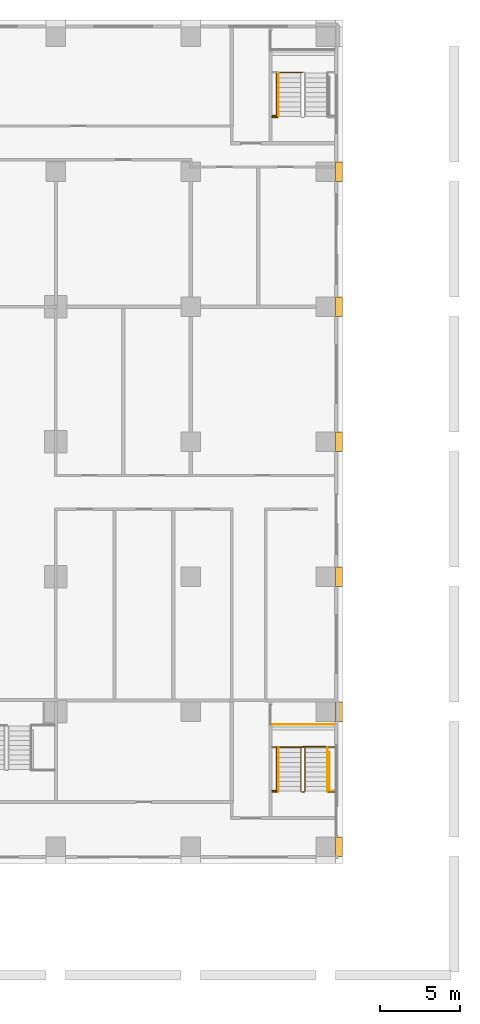
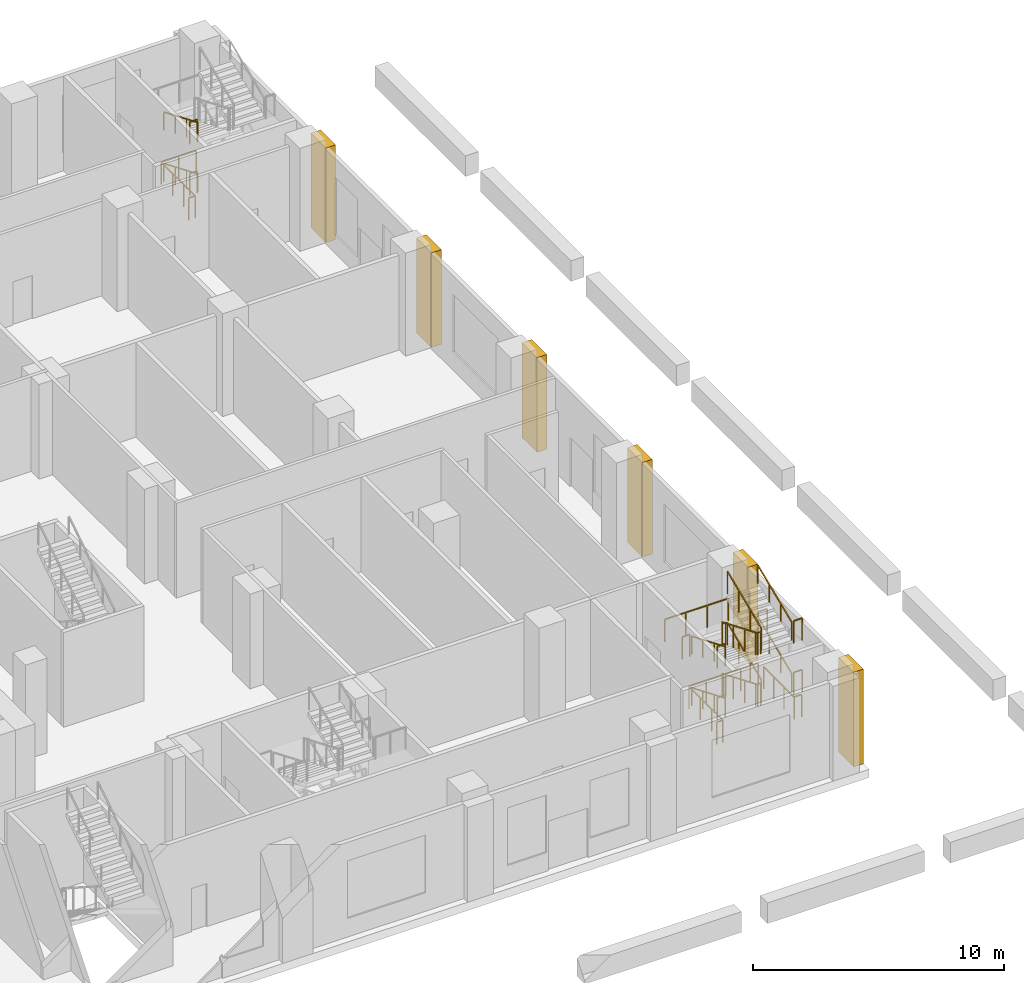
# One storey, part 20 of 21: 19 railings, 6 coverings.
"""IFC4 building model written with IfcOpenShell, lengths in metres."""

from ifc_helpers import new_model, si_unit, direction, frame, origin, origin_2d, place, context, subcontext, project, spatial, polyline, rectangle, outline, extrude, material, type_object, element, save


model = new_model("IFC4")

# Units and contexts
model_context = context("Model", 3, precision=1e-05, world=origin(), true_north=direction((0.0, 1.0)))
body_context = subcontext(model_context, "Body", "Model", "MODEL_VIEW")
ifc_project = project(units=[si_unit("LENGTHUNIT", "METRE"), si_unit("AREAUNIT", "SQUARE_METRE"), si_unit("VOLUMEUNIT", "CUBIC_METRE"), si_unit("PLANEANGLEUNIT", "RADIAN"), si_unit("MASSUNIT", "GRAM", prefix="KILO")], contexts=[model_context])

# Site, building, storey
site_placement = place(None, origin())
site = spatial("IfcSite", under=ifc_project, at=site_placement, CompositionType="ELEMENT")
building_placement = place(site_placement, origin())
building = spatial("IfcBuilding", under=site, at=building_placement, Name="Vermilion Ogive Tower", CompositionType="ELEMENT")
storey_placement = place(building_placement, frame((0.0, 0.0, 25.0)))
storey = spatial("IfcBuildingStorey", under=building, at=storey_placement, Name="L04", CompositionType="ELEMENT", Elevation=25.0)

# Railings
ifc_material_1 = material(Name="Steel S355 painted", Category="steel")
railing_type_1 = type_object("IfcRailingType", Name="Stair guard 1100", PredefinedType="GUARDRAIL", material=ifc_material_1)
railing_1_placement = place(storey_placement, frame((40.64990234375, -14.800048828125, 0.0)))
element("IfcRailing", 1, at=railing_1_placement, inside=storey, type_object=railing_type_1, Name="L04 PS6 stair guard 8", PredefinedType="GUARDRAIL", context=body_context, shape_type="SweptSolid", body=[
    extrude(rectangle(XDim=0.048095703125, YDim=0.048095703125, at=origin_2d()), frame((0.0, 0.0, 1.076171875), z_axis=(-1.0, 0.0, 0.0), x_axis=(0.0, -1.0, 0.0)), (0.0, 0.0, 1.0), 0.14990234375),
    extrude(rectangle(XDim=0.048095703125, YDim=0.048095703125, at=origin_2d()), frame((-0.14990234375, 0.0, 1.076171875), z_axis=(-0.34841279274, -0.34841279274, 0.870182194549), x_axis=(0.707106781187, -0.707106781187, 0.0)), (0.0, 0.0, 1.0), 0.1435546875),
    extrude(rectangle(XDim=0.048095703125, YDim=0.048095703125, at=origin_2d()), frame((-0.199951171875, -0.050048828125, 1.201171875), z_axis=(0.0, -0.923074453586, 0.384621311341), x_axis=(1.0, 0.0, 0.0)), (0.0, 0.0, 1.0), 2.925048828125),
    extrude(rectangle(XDim=0.048095703125, YDim=0.048095703125, at=origin_2d()), frame((-0.199951171875, -2.75, 2.326171875), z_axis=(0.707106781187, -0.707106781187, 0.0), x_axis=(0.707106781187, 0.707106781187, 0.0)), (0.0, 0.0, 1.0), 0.07080078125),
    extrude(rectangle(XDim=0.048095703125, YDim=0.048095703125, at=origin_2d()), frame((-0.14990234375, -2.800048828125, 2.326171875), z_axis=(1.0, 0.0, 0.0), x_axis=(0.0, 1.0, 0.0)), (0.0, 0.0, 1.0), 0.14990234375),
    extrude(rectangle(XDim=0.048095703125, YDim=0.048095703125, at=origin_2d()), frame((0.0, -2.800048828125, 2.326171875), z_axis=(0.34841279274, 0.34841279274, 0.870182194549), x_axis=(-0.707106781187, 0.707106781187, 0.0)), (0.0, 0.0, 1.0), 0.1435546875),
    extrude(rectangle(XDim=0.048095703125, YDim=0.048095703125, at=origin_2d()), frame((0.050048828125, -2.75, 2.451171875), z_axis=(0.0, 0.923074453586, 0.384621311341), x_axis=(-1.0, 0.0, 0.0)), (0.0, 0.0, 1.0), 2.925048828125),
    extrude(rectangle(XDim=0.048095703125, YDim=0.048095703125, at=origin_2d()), frame((0.050048828125, -0.050048828125, 3.576171875), z_axis=(-0.707106781187, 0.707106781187, 0.0), x_axis=(-0.707106781187, -0.707106781187, 0.0)), (0.0, 0.0, 1.0), 0.07080078125),
    extrude(rectangle(XDim=0.048095703125, YDim=0.048095703125, at=origin_2d()), frame((0.0, 0.0, 3.576171875), z_axis=(-1.0, 0.0, 0.0), x_axis=(0.0, -1.0, 0.0)), (0.0, 0.0, 1.0), 0.14990234375),
    extrude(rectangle(XDim=0.048095703125, YDim=0.048095703125, at=origin_2d()), frame((-0.14990234375, 0.0, 3.576171875), z_axis=(-0.34841279274, -0.34841279274, 0.870182194549), x_axis=(0.707106781187, -0.707106781187, 0.0)), (0.0, 0.0, 1.0), 0.1435546875),
    extrude(rectangle(XDim=0.048095703125, YDim=0.048095703125, at=origin_2d()), frame((-0.199951171875, -0.050048828125, 3.701171875), z_axis=(0.0, -0.923074453586, 0.384621311341), x_axis=(1.0, 0.0, 0.0)), (0.0, 0.0, 1.0), 2.925048828125),
    extrude(rectangle(XDim=0.048095703125, YDim=0.048095703125, at=origin_2d()), frame((-0.199951171875, -2.75, 4.826171875), z_axis=(0.707106781187, -0.707106781187, 0.0), x_axis=(0.707106781187, 0.707106781187, 0.0)), (0.0, 0.0, 1.0), 0.07080078125),
    extrude(rectangle(XDim=0.048095703125, YDim=0.048095703125, at=origin_2d()), frame((-0.14990234375, -2.800048828125, 4.826171875), z_axis=(1.0, 0.0, 0.0), x_axis=(0.0, 1.0, 0.0)), (0.0, 0.0, 1.0), 0.14990234375),
    extrude(rectangle(XDim=0.048095703125, YDim=0.048095703125, at=origin_2d()), frame((0.0, -2.800048828125, 4.826171875), z_axis=(0.34841279274, 0.34841279274, 0.870182194549), x_axis=(-0.707106781187, 0.707106781187, 0.0)), (0.0, 0.0, 1.0), 0.1435546875),
    extrude(rectangle(XDim=0.048095703125, YDim=0.048095703125, at=origin_2d()), frame((0.050048828125, -2.75, 4.951171875), z_axis=(0.0, 0.923074453586, 0.384621311341), x_axis=(-1.0, 0.0, 0.0)), (0.0, 0.0, 1.0), 2.925048828125),
    extrude(rectangle(XDim=0.0419921875, YDim=0.0419921875, at=origin_2d()), origin(), (0.0, 0.0, 1.0), 1.052001953125),
    extrude(rectangle(XDim=0.0419921875, YDim=0.0419921875, at=origin_2d()), frame((-0.14990234375, 0.0, 0.0)), (0.0, 0.0, 1.0), 1.052001953125),
    extrude(rectangle(XDim=0.0419921875, YDim=0.0419921875, at=origin_2d()), frame((-0.199951171875, -0.050048828125, 0.125)), (0.0, 0.0, 1.0), 1.052001953125),
    extrude(rectangle(XDim=0.0419921875, YDim=0.0419921875, at=origin_2d()), frame((-0.199951171875, -0.949951171875, 0.5)), (0.0, 0.0, 1.0), 1.052001953125),
    extrude(rectangle(XDim=0.0419921875, YDim=0.0419921875, at=origin_2d()), frame((-0.199951171875, -1.85009765625, 0.875)), (0.0, 0.0, 1.0), 1.052001953125),
    extrude(rectangle(XDim=0.0419921875, YDim=0.0419921875, at=origin_2d()), frame((-0.199951171875, -2.75, 1.25)), (0.0, 0.0, 1.0), 1.052001953125),
    extrude(rectangle(XDim=0.0419921875, YDim=0.0419921875, at=origin_2d()), frame((-0.14990234375, -2.800048828125, 1.25)), (0.0, 0.0, 1.0), 1.052001953125),
    extrude(rectangle(XDim=0.0419921875, YDim=0.0419921875, at=origin_2d()), frame((0.0, -2.800048828125, 1.25)), (0.0, 0.0, 1.0), 1.052001953125),
    extrude(rectangle(XDim=0.0419921875, YDim=0.0419921875, at=origin_2d()), frame((0.050048828125, -2.75, 1.375)), (0.0, 0.0, 1.0), 1.052001953125),
    extrude(rectangle(XDim=0.0419921875, YDim=0.0419921875, at=origin_2d()), frame((0.050048828125, -1.85009765625, 1.75)), (0.0, 0.0, 1.0), 1.052001953125),
    extrude(rectangle(XDim=0.0419921875, YDim=0.0419921875, at=origin_2d()), frame((0.050048828125, -0.949951171875, 2.125)), (0.0, 0.0, 1.0), 1.052001953125),
    extrude(rectangle(XDim=0.0419921875, YDim=0.0419921875, at=origin_2d()), frame((0.050048828125, -0.050048828125, 2.5)), (0.0, 0.0, 1.0), 1.052001953125),
    extrude(rectangle(XDim=0.0419921875, YDim=0.0419921875, at=origin_2d()), frame((0.0, 0.0, 2.5)), (0.0, 0.0, 1.0), 1.052001953125),
    extrude(rectangle(XDim=0.0419921875, YDim=0.0419921875, at=origin_2d()), frame((-0.14990234375, 0.0, 2.5)), (0.0, 0.0, 1.0), 1.052001953125),
    extrude(rectangle(XDim=0.0419921875, YDim=0.0419921875, at=origin_2d()), frame((-0.199951171875, -0.050048828125, 2.625)), (0.0, 0.0, 1.0), 1.052001953125),
    extrude(rectangle(XDim=0.0419921875, YDim=0.0419921875, at=origin_2d()), frame((-0.199951171875, -0.949951171875, 3.0)), (0.0, 0.0, 1.0), 1.052001953125),
    extrude(rectangle(XDim=0.0419921875, YDim=0.0419921875, at=origin_2d()), frame((-0.199951171875, -1.85009765625, 3.375)), (0.0, 0.0, 1.0), 1.052001953125),
    extrude(rectangle(XDim=0.0419921875, YDim=0.0419921875, at=origin_2d()), frame((-0.199951171875, -2.75, 3.75)), (0.0, 0.0, 1.0), 1.052001953125),
    extrude(rectangle(XDim=0.0419921875, YDim=0.0419921875, at=origin_2d()), frame((-0.14990234375, -2.800048828125, 3.75)), (0.0, 0.0, 1.0), 1.052001953125),
    extrude(rectangle(XDim=0.0419921875, YDim=0.0419921875, at=origin_2d()), frame((0.0, -2.800048828125, 3.75)), (0.0, 0.0, 1.0), 1.052001953125),
    extrude(rectangle(XDim=0.0419921875, YDim=0.0419921875, at=origin_2d()), frame((0.050048828125, -2.75, 3.875)), (0.0, 0.0, 1.0), 1.052001953125),
    extrude(rectangle(XDim=0.0419921875, YDim=0.0419921875, at=origin_2d()), frame((0.050048828125, -1.85009765625, 4.25)), (0.0, 0.0, 1.0), 1.052001953125),
    extrude(rectangle(XDim=0.0419921875, YDim=0.0419921875, at=origin_2d()), frame((0.050048828125, -0.949951171875, 4.625)), (0.0, 0.0, 1.0), 1.052001953125),
    extrude(rectangle(XDim=0.0419921875, YDim=0.0419921875, at=origin_2d()), frame((0.050048828125, -0.050048828125, 5.0)), (0.0, 0.0, 1.0), 1.052001953125),
])
for number, where, name in (
    (2, (38.650146484375, 24.39990234375, 1.25), "L04 landing guard"),
    (3, (38.650146484375, 24.39990234375, 3.75), "L04 landing guard"),
    (4, (38.650146484375, -17.60009765625, 1.25), "L04 landing guard"),
):
    element("IfcRailing", number, at=place(storey_placement, frame(where)), inside=storey, type_object=railing_type_1, Name=name, PredefinedType="GUARDRAIL", context=body_context, shape_type="SweptSolid", body=[
        extrude(rectangle(XDim=0.048095703125, YDim=0.048095703125, at=origin_2d()), frame((0.0, 0.0, 1.076171875), z_axis=(1.0, 0.0, 0.0), x_axis=(0.0, 1.0, 0.0)), (0.0, 0.0, 1.0), 0.349853515625),
        extrude(rectangle(XDim=0.0419921875, YDim=0.0419921875, at=origin_2d()), origin(), (0.0, 0.0, 1.0), 1.052001953125),
        extrude(rectangle(XDim=0.0419921875, YDim=0.0419921875, at=origin_2d()), frame((0.349853515625, 0.0, 0.0)), (0.0, 0.0, 1.0), 1.052001953125),
    ])
railing_2_placement = place(storey_placement, frame((42.14990234375, -17.60009765625, 1.25)))
element("IfcRailing", 5, at=railing_2_placement, inside=storey, type_object=railing_type_1, Name="L04 landing guard", PredefinedType="GUARDRAIL", context=body_context, shape_type="SweptSolid", body=[
    extrude(rectangle(XDim=0.048095703125, YDim=0.048095703125, at=origin_2d()), frame((0.0, 0.0, 1.076171875), z_axis=(1.0, 0.0, 0.0), x_axis=(0.0, 1.0, 0.0)), (0.0, 0.0, 1.0), 0.400146484375),
    extrude(rectangle(XDim=0.0419921875, YDim=0.0419921875, at=origin_2d()), origin(), (0.0, 0.0, 1.0), 1.052001953125),
    extrude(rectangle(XDim=0.0419921875, YDim=0.0419921875, at=origin_2d()), frame((0.400146484375, 0.0, 0.0)), (0.0, 0.0, 1.0), 1.052001953125),
])
railing_3_placement = place(storey_placement, frame((38.650146484375, -13.39990234375, 2.5)))
element("IfcRailing", 6, at=railing_3_placement, inside=storey, type_object=railing_type_1, Name="L04 landing guard", PredefinedType="GUARDRAIL", context=body_context, shape_type="SweptSolid", body=[
    extrude(rectangle(XDim=0.048095703125, YDim=0.048095703125, at=origin_2d()), frame((0.0, 0.0, 1.076171875), z_axis=(1.0, 0.0, 0.0), x_axis=(0.0, 1.0, 0.0)), (0.0, 0.0, 1.0), 3.89990234375),
    extrude(rectangle(XDim=0.0419921875, YDim=0.0419921875, at=origin_2d()), origin(), (0.0, 0.0, 1.0), 1.052001953125),
    extrude(rectangle(XDim=0.0419921875, YDim=0.0419921875, at=origin_2d()), frame((0.97509765625, 0.0, 0.0)), (0.0, 0.0, 1.0), 1.052001953125),
    extrude(rectangle(XDim=0.0419921875, YDim=0.0419921875, at=origin_2d()), frame((1.949951171875, 0.0, 0.0)), (0.0, 0.0, 1.0), 1.052001953125),
    extrude(rectangle(XDim=0.0419921875, YDim=0.0419921875, at=origin_2d()), frame((2.9248046875, 0.0, 0.0)), (0.0, 0.0, 1.0), 1.052001953125),
    extrude(rectangle(XDim=0.0419921875, YDim=0.0419921875, at=origin_2d()), frame((3.89990234375, 0.0, 0.0)), (0.0, 0.0, 1.0), 1.052001953125),
])
railing_4_placement = place(storey_placement, frame((38.650146484375, -14.800048828125, 2.5)))
element("IfcRailing", 7, at=railing_4_placement, inside=storey, type_object=railing_type_1, Name="L04 landing guard", PredefinedType="GUARDRAIL", context=body_context, shape_type="SweptSolid", body=[
    extrude(rectangle(XDim=0.048095703125, YDim=0.048095703125, at=origin_2d()), frame((0.0, 0.0, 1.076171875), z_axis=(1.0, 0.0, 0.0), x_axis=(0.0, 1.0, 0.0)), (0.0, 0.0, 1.0), 0.349853515625),
    extrude(rectangle(XDim=0.0419921875, YDim=0.0419921875, at=origin_2d()), origin(), (0.0, 0.0, 1.0), 1.052001953125),
    extrude(rectangle(XDim=0.0419921875, YDim=0.0419921875, at=origin_2d()), frame((0.349853515625, 0.0, 0.0)), (0.0, 0.0, 1.0), 1.052001953125),
])
railing_5_placement = place(storey_placement, frame((42.14990234375, -14.800048828125, 2.5)))
element("IfcRailing", 8, at=railing_5_placement, inside=storey, type_object=railing_type_1, Name="L04 landing guard", PredefinedType="GUARDRAIL", context=body_context, shape_type="SweptSolid", body=[
    extrude(rectangle(XDim=0.048095703125, YDim=0.048095703125, at=origin_2d()), frame((0.0, 0.0, 1.076171875), z_axis=(1.0, 0.0, 0.0), x_axis=(0.0, 1.0, 0.0)), (0.0, 0.0, 1.0), 0.400146484375),
    extrude(rectangle(XDim=0.0419921875, YDim=0.0419921875, at=origin_2d()), origin(), (0.0, 0.0, 1.0), 1.052001953125),
    extrude(rectangle(XDim=0.0419921875, YDim=0.0419921875, at=origin_2d()), frame((0.400146484375, 0.0, 0.0)), (0.0, 0.0, 1.0), 1.052001953125),
])
railing_6_placement = place(storey_placement, frame((38.650146484375, -17.60009765625, 3.75)))
element("IfcRailing", 9, at=railing_6_placement, inside=storey, type_object=railing_type_1, Name="L04 landing guard", PredefinedType="GUARDRAIL", context=body_context, shape_type="SweptSolid", body=[
    extrude(rectangle(XDim=0.048095703125, YDim=0.048095703125, at=origin_2d()), frame((0.0, 0.0, 1.076171875), z_axis=(1.0, 0.0, 0.0), x_axis=(0.0, 1.0, 0.0)), (0.0, 0.0, 1.0), 0.349853515625),
    extrude(rectangle(XDim=0.0419921875, YDim=0.0419921875, at=origin_2d()), origin(), (0.0, 0.0, 1.0), 1.052001953125),
    extrude(rectangle(XDim=0.0419921875, YDim=0.0419921875, at=origin_2d()), frame((0.349853515625, 0.0, 0.0)), (0.0, 0.0, 1.0), 1.052001953125),
])
railing_7_placement = place(storey_placement, frame((42.14990234375, -17.60009765625, 3.75)))
element("IfcRailing", 10, at=railing_7_placement, inside=storey, type_object=railing_type_1, Name="L04 landing guard", PredefinedType="GUARDRAIL", context=body_context, shape_type="SweptSolid", body=[
    extrude(rectangle(XDim=0.048095703125, YDim=0.048095703125, at=origin_2d()), frame((0.0, 0.0, 1.076171875), z_axis=(1.0, 0.0, 0.0), x_axis=(0.0, 1.0, 0.0)), (0.0, 0.0, 1.0), 0.400146484375),
    extrude(rectangle(XDim=0.0419921875, YDim=0.0419921875, at=origin_2d()), origin(), (0.0, 0.0, 1.0), 1.052001953125),
    extrude(rectangle(XDim=0.0419921875, YDim=0.0419921875, at=origin_2d()), frame((0.400146484375, 0.0, 0.0)), (0.0, 0.0, 1.0), 1.052001953125),
])
railing_8_placement = place(storey_placement, frame((38.660888671875, 24.484375, 0.0)))
element("IfcRailing", 11, at=railing_8_placement, inside=storey, type_object=railing_type_1, Name="L04 stair opening guard", PredefinedType="GUARDRAIL", context=body_context, shape_type="SweptSolid", body=[
    extrude(rectangle(XDim=0.048095703125, YDim=0.048095703125, at=origin_2d()), frame((0.0, 0.0, 1.076171875), z_axis=(1.0, 0.0, 0.0), x_axis=(0.0, 1.0, 0.0)), (0.0, 0.0, 1.0), 0.289794921875),
    extrude(rectangle(XDim=0.048095703125, YDim=0.048095703125, at=origin_2d()), frame((0.289794921875, 0.0, 1.076171875), z_axis=(0.0, 1.0, 0.0), x_axis=(-1.0, 0.0, 0.0)), (0.0, 0.0, 1.0), 2.699951171875),
    extrude(rectangle(XDim=0.048095703125, YDim=0.048095703125, at=origin_2d()), frame((0.289794921875, 2.699951171875, 1.076171875), z_axis=(1.0, 0.0, 0.0), x_axis=(0.0, 1.0, 0.0)), (0.0, 0.0, 1.0), 1.60009765625),
    extrude(rectangle(XDim=0.0419921875, YDim=0.0419921875, at=origin_2d()), origin(), (0.0, 0.0, 1.0), 1.052001953125),
    extrude(rectangle(XDim=0.0419921875, YDim=0.0419921875, at=origin_2d()), frame((0.289794921875, 0.0, 0.0)), (0.0, 0.0, 1.0), 1.052001953125),
    extrude(rectangle(XDim=0.0419921875, YDim=0.0419921875, at=origin_2d()), frame((0.289794921875, 0.89990234375, 0.0)), (0.0, 0.0, 1.0), 1.052001953125),
    extrude(rectangle(XDim=0.0419921875, YDim=0.0419921875, at=origin_2d()), frame((0.289794921875, 1.800048828125, 0.0)), (0.0, 0.0, 1.0), 1.052001953125),
    extrude(rectangle(XDim=0.0419921875, YDim=0.0419921875, at=origin_2d()), frame((0.289794921875, 2.699951171875, 0.0)), (0.0, 0.0, 1.0), 1.052001953125),
    extrude(rectangle(XDim=0.0419921875, YDim=0.0419921875, at=origin_2d()), frame((1.08984375, 2.699951171875, 0.0)), (0.0, 0.0, 1.0), 1.052001953125),
    extrude(rectangle(XDim=0.0419921875, YDim=0.0419921875, at=origin_2d()), frame((1.889892578125, 2.699951171875, 0.0)), (0.0, 0.0, 1.0), 1.052001953125),
])
railing_9_placement = place(storey_placement, frame((42.209228515625, -15.11767578125, 0.0)))
element("IfcRailing", 12, at=railing_9_placement, inside=storey, type_object=railing_type_1, Name="L04 stair opening guard", PredefinedType="GUARDRAIL", context=body_context, shape_type="SweptSolid", body=[
    extrude(rectangle(XDim=0.048095703125, YDim=0.048095703125, at=origin_2d()), frame((0.0, 0.0, 1.076171875), z_axis=(0.0, -1.0, 0.0), x_axis=(1.0, 0.0, 0.0)), (0.0, 0.0, 1.0), 2.424072265625),
    extrude(rectangle(XDim=0.048095703125, YDim=0.048095703125, at=origin_2d()), frame((0.0, -2.424072265625, 1.076171875), z_axis=(1.0, 0.0, 0.0), x_axis=(0.0, 1.0, 0.0)), (0.0, 0.0, 1.0), 0.340087890625),
    extrude(rectangle(XDim=0.0419921875, YDim=0.0419921875, at=origin_2d()), origin(), (0.0, 0.0, 1.0), 1.052001953125),
    extrude(rectangle(XDim=0.0419921875, YDim=0.0419921875, at=origin_2d()), frame((0.0, -0.80810546875, 0.0)), (0.0, 0.0, 1.0), 1.052001953125),
    extrude(rectangle(XDim=0.0419921875, YDim=0.0419921875, at=origin_2d()), frame((0.0, -1.615966796875, 0.0)), (0.0, 0.0, 1.0), 1.052001953125),
    extrude(rectangle(XDim=0.0419921875, YDim=0.0419921875, at=origin_2d()), frame((0.0, -2.424072265625, 0.0)), (0.0, 0.0, 1.0), 1.052001953125),
    extrude(rectangle(XDim=0.0419921875, YDim=0.0419921875, at=origin_2d()), frame((0.340087890625, -2.424072265625, 0.0)), (0.0, 0.0, 1.0), 1.052001953125),
])
railing_10_placement = place(storey_placement, frame((38.660888671875, -17.515625, 0.0)))
element("IfcRailing", 13, at=railing_10_placement, inside=storey, type_object=railing_type_1, Name="L04 stair opening guard", PredefinedType="GUARDRAIL", context=body_context, shape_type="SweptSolid", body=[
    extrude(rectangle(XDim=0.048095703125, YDim=0.048095703125, at=origin_2d()), frame((0.0, 0.0, 1.076171875), z_axis=(1.0, 0.0, 0.0), x_axis=(0.0, 1.0, 0.0)), (0.0, 0.0, 1.0), 0.289794921875),
    extrude(rectangle(XDim=0.048095703125, YDim=0.048095703125, at=origin_2d()), frame((0.289794921875, 0.0, 1.076171875), z_axis=(0.0, 1.0, 0.0), x_axis=(-1.0, 0.0, 0.0)), (0.0, 0.0, 1.0), 2.699951171875),
    extrude(rectangle(XDim=0.048095703125, YDim=0.048095703125, at=origin_2d()), frame((0.289794921875, 2.699951171875, 1.076171875), z_axis=(1.0, 0.0, 0.0), x_axis=(0.0, 1.0, 0.0)), (0.0, 0.0, 1.0), 1.60009765625),
    extrude(rectangle(XDim=0.048095703125, YDim=0.048095703125, at=origin_2d()), frame((1.889892578125, 2.699951171875, 1.076171875), z_axis=(-0.028559773899, 0.999592086461, 0.0), x_axis=(-0.999592086461, -0.028559773899, 0.0)), (0.0, 0.0, 1.0), 0.025634765625),
    extrude(rectangle(XDim=0.048095703125, YDim=0.048095703125, at=origin_2d()), frame((1.88916015625, 2.7255859375, 1.076171875), z_axis=(1.0, 0.0, 0.0), x_axis=(0.0, 1.0, 0.0)), (0.0, 0.0, 1.0), 1.599853515625),
    extrude(rectangle(XDim=0.0419921875, YDim=0.0419921875, at=origin_2d()), origin(), (0.0, 0.0, 1.0), 1.052001953125),
    extrude(rectangle(XDim=0.0419921875, YDim=0.0419921875, at=origin_2d()), frame((0.289794921875, 0.0, 0.0)), (0.0, 0.0, 1.0), 1.052001953125),
    extrude(rectangle(XDim=0.0419921875, YDim=0.0419921875, at=origin_2d()), frame((0.289794921875, 0.89990234375, 0.0)), (0.0, 0.0, 1.0), 1.052001953125),
    extrude(rectangle(XDim=0.0419921875, YDim=0.0419921875, at=origin_2d()), frame((0.289794921875, 1.800048828125, 0.0)), (0.0, 0.0, 1.0), 1.052001953125),
    extrude(rectangle(XDim=0.0419921875, YDim=0.0419921875, at=origin_2d()), frame((0.289794921875, 2.699951171875, 0.0)), (0.0, 0.0, 1.0), 1.052001953125),
    extrude(rectangle(XDim=0.0419921875, YDim=0.0419921875, at=origin_2d()), frame((1.08984375, 2.699951171875, 0.0)), (0.0, 0.0, 1.0), 1.052001953125),
    extrude(rectangle(XDim=0.0419921875, YDim=0.0419921875, at=origin_2d()), frame((1.889892578125, 2.699951171875, 0.0)), (0.0, 0.0, 1.0), 1.052001953125),
    extrude(rectangle(XDim=0.0419921875, YDim=0.0419921875, at=origin_2d()), frame((1.88916015625, 2.7255859375, 0.0)), (0.0, 0.0, 1.0), 1.052001953125),
    extrude(rectangle(XDim=0.0419921875, YDim=0.0419921875, at=origin_2d()), frame((2.68896484375, 2.7255859375, 0.0)), (0.0, 0.0, 1.0), 1.052001953125),
    extrude(rectangle(XDim=0.0419921875, YDim=0.0419921875, at=origin_2d()), frame((3.489013671875, 2.7255859375, 0.0)), (0.0, 0.0, 1.0), 1.052001953125),
])
ifc_material_2 = material(Name="Stainless steel", Category="steel")
railing_type_2 = type_object("IfcRailingType", Name="Stair handrail 900", PredefinedType="HANDRAIL", material=ifc_material_2)
for number, where, name in (
    (14, (39.050048828125, 27.14990234375, 0.125), "L04 PS2 stair handrail 1"),
    (15, (39.050048828125, 27.14990234375, 2.625), "L04 PS2 stair handrail 3"),
    (16, (39.050048828125, -14.85009765625, 0.125), "L04 PS6 stair handrail 1"),
):
    element("IfcRailing", number, at=place(storey_placement, frame(where)), inside=storey, type_object=railing_type_2, Name=name, PredefinedType="HANDRAIL", context=body_context, shape_type="SweptSolid", body=[
        extrude(rectangle(XDim=0.048095703125, YDim=0.048095703125, at=origin_2d()), frame((0.0, 0.0, 0.8759765625), z_axis=(0.0, -0.923074453586, 0.384621311341), x_axis=(1.0, 0.0, 0.0)), (0.0, 0.0, 1.0), 2.925048828125),
        extrude(rectangle(XDim=0.0419921875, YDim=0.0419921875, at=origin_2d()), origin(), (0.0, 0.0, 1.0), 0.851806640625),
        extrude(rectangle(XDim=0.0419921875, YDim=0.0419921875, at=origin_2d()), frame((0.0, -0.89990234375, 0.375)), (0.0, 0.0, 1.0), 0.851806640625),
        extrude(rectangle(XDim=0.0419921875, YDim=0.0419921875, at=origin_2d()), frame((0.0, -1.800048828125, 0.75)), (0.0, 0.0, 1.0), 0.851806640625),
        extrude(rectangle(XDim=0.0419921875, YDim=0.0419921875, at=origin_2d()), frame((0.0, -2.699951171875, 1.125)), (0.0, 0.0, 1.0), 0.851806640625),
    ])
railing_11_placement = place(storey_placement, frame((42.10009765625, -17.550048828125, 1.375)))
element("IfcRailing", 17, at=railing_11_placement, inside=storey, type_object=railing_type_2, Name="L04 PS6 stair handrail 2", PredefinedType="HANDRAIL", context=body_context, shape_type="SweptSolid", body=[
    extrude(rectangle(XDim=0.048095703125, YDim=0.048095703125, at=origin_2d()), frame((0.0, 0.0, 0.8759765625), z_axis=(0.0, 0.923074453586, 0.384621311341), x_axis=(-1.0, 0.0, 0.0)), (0.0, 0.0, 1.0), 2.925048828125),
    extrude(rectangle(XDim=0.0419921875, YDim=0.0419921875, at=origin_2d()), origin(), (0.0, 0.0, 1.0), 0.851806640625),
    extrude(rectangle(XDim=0.0419921875, YDim=0.0419921875, at=origin_2d()), frame((0.0, 0.89990234375, 0.375)), (0.0, 0.0, 1.0), 0.851806640625),
    extrude(rectangle(XDim=0.0419921875, YDim=0.0419921875, at=origin_2d()), frame((0.0, 1.800048828125, 0.75)), (0.0, 0.0, 1.0), 0.851806640625),
    extrude(rectangle(XDim=0.0419921875, YDim=0.0419921875, at=origin_2d()), frame((0.0, 2.699951171875, 1.125)), (0.0, 0.0, 1.0), 0.851806640625),
])
railing_12_placement = place(storey_placement, frame((39.050048828125, -14.85009765625, 2.625)))
element("IfcRailing", 18, at=railing_12_placement, inside=storey, type_object=railing_type_2, Name="L04 PS6 stair handrail 3", PredefinedType="HANDRAIL", context=body_context, shape_type="SweptSolid", body=[
    extrude(rectangle(XDim=0.048095703125, YDim=0.048095703125, at=origin_2d()), frame((0.0, 0.0, 0.8759765625), z_axis=(0.0, -0.923074453586, 0.384621311341), x_axis=(1.0, 0.0, 0.0)), (0.0, 0.0, 1.0), 2.925048828125),
    extrude(rectangle(XDim=0.0419921875, YDim=0.0419921875, at=origin_2d()), origin(), (0.0, 0.0, 1.0), 0.851806640625),
    extrude(rectangle(XDim=0.0419921875, YDim=0.0419921875, at=origin_2d()), frame((0.0, -0.89990234375, 0.375)), (0.0, 0.0, 1.0), 0.851806640625),
    extrude(rectangle(XDim=0.0419921875, YDim=0.0419921875, at=origin_2d()), frame((0.0, -1.800048828125, 0.75)), (0.0, 0.0, 1.0), 0.851806640625),
    extrude(rectangle(XDim=0.0419921875, YDim=0.0419921875, at=origin_2d()), frame((0.0, -2.699951171875, 1.125)), (0.0, 0.0, 1.0), 0.851806640625),
])
railing_13_placement = place(storey_placement, frame((42.10009765625, -17.550048828125, 3.875)))
element("IfcRailing", 19, at=railing_13_placement, inside=storey, type_object=railing_type_2, Name="L04 PS6 stair handrail 4", PredefinedType="HANDRAIL", context=body_context, shape_type="SweptSolid", body=[
    extrude(rectangle(XDim=0.048095703125, YDim=0.048095703125, at=origin_2d()), frame((0.0, 0.0, 0.8759765625), z_axis=(0.0, 0.923074453586, 0.384621311341), x_axis=(-1.0, 0.0, 0.0)), (0.0, 0.0, 1.0), 2.925048828125),
    extrude(rectangle(XDim=0.0419921875, YDim=0.0419921875, at=origin_2d()), origin(), (0.0, 0.0, 1.0), 0.851806640625),
    extrude(rectangle(XDim=0.0419921875, YDim=0.0419921875, at=origin_2d()), frame((0.0, 0.89990234375, 0.375)), (0.0, 0.0, 1.0), 0.851806640625),
    extrude(rectangle(XDim=0.0419921875, YDim=0.0419921875, at=origin_2d()), frame((0.0, 1.800048828125, 0.75)), (0.0, 0.0, 1.0), 0.851806640625),
    extrude(rectangle(XDim=0.0419921875, YDim=0.0419921875, at=origin_2d()), frame((0.0, 2.699951171875, 1.125)), (0.0, 0.0, 1.0), 0.851806640625),
])

# Coverings
ifc_material_3 = material(Name="Stone cladding", Category="masonry")
covering_type = type_object("IfcCoveringType", Name="Stone pier", PredefinedType="CLADDING", material=ifc_material_3)
covering_1_placement = place(storey_placement, origin())
element("IfcCovering", 20, at=covering_1_placement, inside=storey, type_object=covering_type, Name="Stone pier P+420+042", PredefinedType="CLADDING", context=body_context, shape_type="SweptSolid", body=[
    extrude(outline(polyline([(42.60009765625, 4.800048828125), (42.60009765625, 4.800048828125), (43.050048828125, 4.800048828125), (43.050048828125, 3.60009765625), (42.60009765625, 3.60009765625), (42.60009765625, 3.60009765625), (42.60009765625, 4.800048828125)])), origin(), (0.0, 0.0, 1.0), 4.60009765625),
])
covering_2_placement = place(storey_placement, origin())
element("IfcCovering", 21, at=covering_2_placement, inside=storey, type_object=covering_type, Name="Stone pier P+420+126", PredefinedType="CLADDING", context=body_context, shape_type="SweptSolid", body=[
    extrude(outline(polyline([(42.60009765625, 13.199951171875), (43.050048828125, 13.199951171875), (43.050048828125, 12.0), (42.60009765625, 12.0), (42.60009765625, 13.199951171875), (42.60009765625, 13.199951171875)])), origin(), (0.0, 0.0, 1.0), 4.60009765625),
])
covering_3_placement = place(storey_placement, origin())
element("IfcCovering", 22, at=covering_3_placement, inside=storey, type_object=covering_type, Name="Stone pier P+420+210", PredefinedType="CLADDING", context=body_context, shape_type="SweptSolid", body=[
    extrude(outline(polyline([(43.050048828125, 21.60009765625), (43.050048828125, 20.39990234375), (42.60009765625, 20.39990234375), (42.60009765625, 21.60009765625), (43.050048828125, 21.60009765625)])), origin(), (0.0, 0.0, 1.0), 4.60009765625),
])
covering_4_placement = place(storey_placement, origin())
element("IfcCovering", 23, at=covering_4_placement, inside=storey, type_object=covering_type, Name="Stone pier P+420-042", PredefinedType="CLADDING", context=body_context, shape_type="SweptSolid", body=[
    extrude(outline(polyline([(42.60009765625, -3.60009765625), (42.60009765625, -3.60009765625), (43.050048828125, -3.60009765625), (43.050048828125, -4.800048828125), (42.60009765625, -4.800048828125), (42.60009765625, -4.800048828125), (42.60009765625, -3.60009765625)])), origin(), (0.0, 0.0, 1.0), 4.60009765625),
])
covering_5_placement = place(storey_placement, origin())
element("IfcCovering", 24, at=covering_5_placement, inside=storey, type_object=covering_type, Name="Stone pier P+420-126", PredefinedType="CLADDING", context=body_context, shape_type="SweptSolid", body=[
    extrude(outline(polyline([(43.050048828125, -12.0), (43.050048828125, -13.199951171875), (42.60009765625, -13.199951171875), (42.60009765625, -12.0), (43.050048828125, -12.0)])), origin(), (0.0, 0.0, 1.0), 4.60009765625),
])
covering_6_placement = place(storey_placement, origin())
element("IfcCovering", 25, at=covering_6_placement, inside=storey, type_object=covering_type, Name="Stone pier P+420-210E", PredefinedType="CLADDING", context=body_context, shape_type="SweptSolid", body=[
    extrude(outline(polyline([(43.050048828125, -21.60009765625), (42.60009765625, -21.60009765625), (42.60009765625, -20.39990234375), (43.050048828125, -20.39990234375), (43.050048828125, -21.60009765625)])), origin(), (0.0, 0.0, 1.0), 4.60009765625),
])

save(model, "model.ifc")
